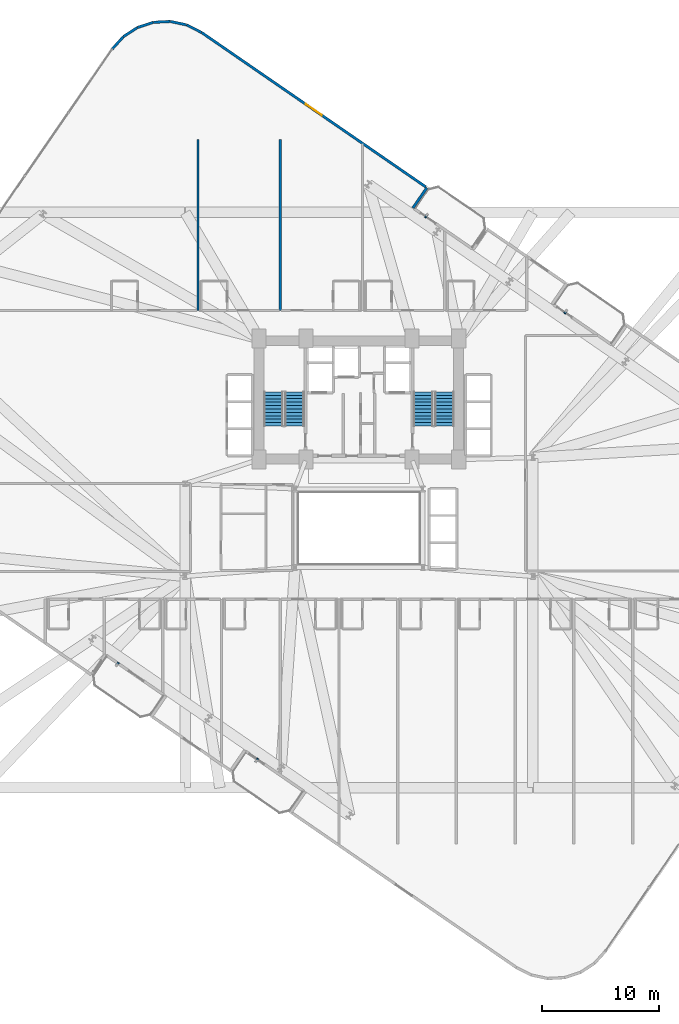
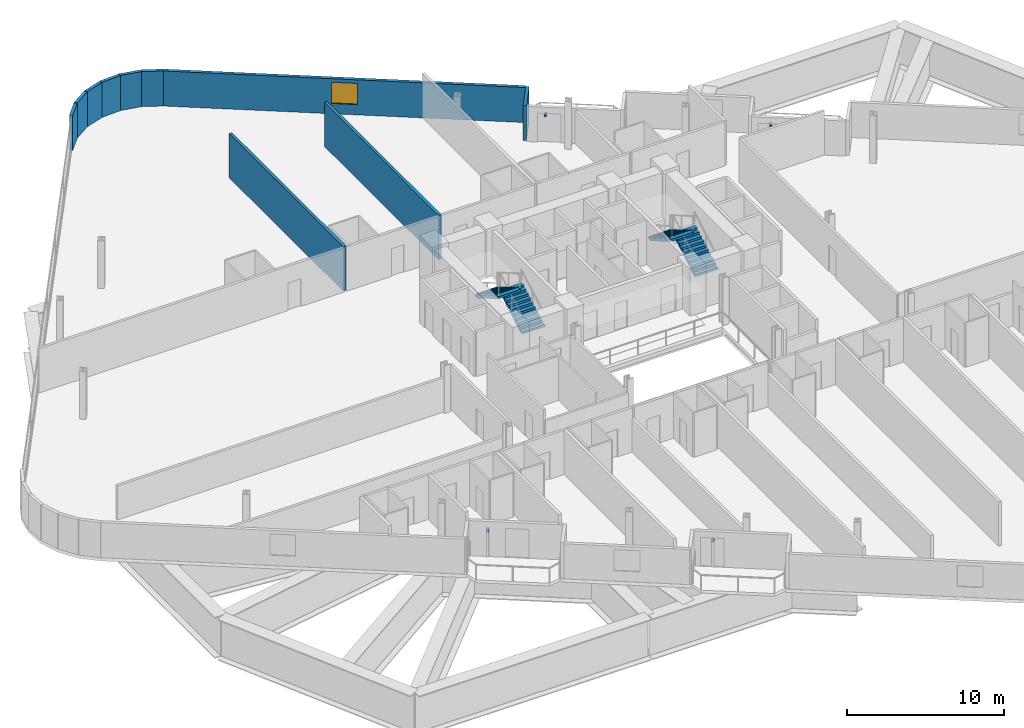
# One storey, part 23 of 26: 10 walls, 4 discrete accessories, 4 stair flights, 1 window, 1 opening, 2 elements without a shape of their own.
"""IFC4 building model written with IfcOpenShell, lengths in metres."""

from ifc_helpers import new_model, si_unit, direction, frame, frame_2d, origin, origin_2d, place, context, subcontext, project, spatial, polyline, rectangle, outline, extrude, source, transform, mapped, material, layer, layer_set, type_object, element, fill, aggregate, save


model = new_model("IFC4")

# Units and contexts
model_context = context("Model", 3, precision=1e-05, world=origin(), true_north=direction((0.0, 1.0)))
body_context = subcontext(model_context, "Body", "Model", "MODEL_VIEW")
ifc_project = project(units=[si_unit("LENGTHUNIT", "METRE"), si_unit("AREAUNIT", "SQUARE_METRE"), si_unit("VOLUMEUNIT", "CUBIC_METRE"), si_unit("PLANEANGLEUNIT", "RADIAN"), si_unit("MASSUNIT", "GRAM", prefix="KILO")], contexts=[model_context])

# Site, building, storey
site_placement = place(None, origin())
site = spatial("IfcSite", under=ifc_project, at=site_placement, CompositionType="ELEMENT")
building_placement = place(site_placement, origin())
building = spatial("IfcBuilding", under=site, at=building_placement, Name="Varnelok Gate Tower", CompositionType="ELEMENT")
storey_placement = place(building_placement, frame((0.0, 0.0, 27.0)))
storey = spatial("IfcBuildingStorey", under=building, at=storey_placement, Name="L05", CompositionType="ELEMENT", Elevation=27.0)

# Wall
ifc_material_1 = material(Name="Concrete C45/55", Category="concrete")
ifc_layer_1 = layer(ifc_material_1, 0.219970703125)
ifc_layer_set_1 = layer_set([ifc_layer_1], Name="Concrete C45/55")
wall_type_1 = type_object("IfcWallType", Name="EW-BALC-220", PredefinedType="SOLIDWALL", material=ifc_layer_set_1)
wall_1_placement = place(storey_placement, frame((43.793701171875, 50.161376953125, 0.0), z_axis=(0.0, 0.0, 1.0), x_axis=(0.567352541689, 0.823475010816, 0.0)))
element("IfcWall", 1, at=wall_1_placement, inside=storey, type_object=wall_type_1, Name="L05 Perimeter Facade Closure Wall 31", PredefinedType="SOLIDWALL", context=body_context, shape_type="SweptSolid", body=[
    extrude(rectangle(XDim=2.099853515625, YDim=0.219970703125, at=frame_2d((1.0498046875, 0.0))), origin(), (0.0, 0.0, 1.0), 2.72998046875),
])

# Wall, opening, window
wall_2_placement = place(storey_placement, frame((44.882080078125, 51.961669921875, 0.0), z_axis=(0.0, 0.0, 1.0), x_axis=(-0.823534427573, 0.567266292497, 0.0)))
wall_2 = element("IfcWall", 2, at=wall_2_placement, inside=storey, type_object=wall_type_1, Name="L05 Perimeter Facade Closure Wall 32", PredefinedType="SOLIDWALL", context=body_context, shape_type="SweptSolid", body=[
    extrude(rectangle(XDim=23.147216796875, YDim=0.219970703125, at=frame_2d((11.57373046875, 0.0))), origin(), (0.0, 0.0, 1.0), 2.72998046875),
])
opening_placement = place(wall_2_placement, frame((10.74853515625, 0.0, 0.800048828125)))
opening = element("IfcOpeningElement", 3, at=opening_placement, cuts=wall_2, Name="Opening WN3", PredefinedType="OPENING", context=body_context, shape_type="SweptSolid", body=[
    extrude(rectangle(XDim=1.64990234375, YDim=1.64990234375, at=frame_2d((0.824951171875, 0.824951171875))), frame((0.0, 0.119873046875, 0.0), z_axis=(0.0, -1.0, 0.0), x_axis=(1.0, 0.0, 0.0)), (0.0, 0.0, 1.0), 0.239990234375),
])
ifc_material_2 = material(Name="Low-E Laminated Double Glazing IGU", Category="glass")
window_type = type_object("IfcWindowType", Name="WN-HTL-1650", PartitioningType="SINGLE_PANEL", PredefinedType="WINDOW", material=ifc_material_2)
window_placement = place(opening_placement, origin())
window = element("IfcWindow", 4, at=window_placement, inside=storey, type_object=window_type, Name="L05 Perimeter Vision Window 32", OverallHeight=1.64990234375, OverallWidth=1.64990234375, PartitioningType="SINGLE_PANEL", PredefinedType="WINDOW", context=body_context, shape_type="SweptSolid", body=[
    extrude(rectangle(XDim=1.64990234375, YDim=1.64990234375, at=frame_2d((0.824951171875, 0.824951171875))), frame((0.0, 0.030029296875, 0.0), z_axis=(0.0, -1.0, 0.0), x_axis=(1.0, 0.0, 0.0)), (0.0, 0.0, 1.0), 0.06005859375),
])
fill(opening, window)

# Walls
wall_3_placement = place(storey_placement, frame((25.79736328125, 65.103759765625, 0.0), z_axis=(0.0, 0.0, 1.0), x_axis=(-0.890559109247, 0.454867533394, 0.0)))
element("IfcWall", 5, at=wall_3_placement, inside=storey, type_object=wall_type_1, Name="L05 Perimeter Facade Closure Wall 33", PredefinedType="SOLIDWALL", context=body_context, shape_type="SweptSolid", body=[
    extrude(rectangle(XDim=1.4130859375, YDim=0.219970703125, at=frame_2d((0.70654296875, 0.0))), origin(), (0.0, 0.0, 1.0), 2.72998046875),
])
for number, where, z_axis, x_axis, name in (
    (6, (24.514404296875, 65.751953125, 0.0), (0.0, 0.0, 1.0), (-0.977952168511, 0.208829011645, 0.0), "L05 Perimeter Facade Closure Wall 34"),
    (7, (23.114990234375, 66.044189453125, 0.0), (0.0, 0.0, 1.0), (-0.998685611917, -0.051254741739, 0.0), "L05 Perimeter Facade Closure Wall 35"),
    (8, (21.68798828125, 65.96435546875, 0.0), (0.0, 0.0, 1.0), (-0.951375653596, -0.308033059501, 0.0), "L05 Perimeter Facade Closure Wall 36"),
    (9, (20.330078125, 65.517822265625, 0.0), (0.0, 0.0, 1.0), (-0.839327688057, -0.543625819899, 0.0), "L05 Perimeter Facade Closure Wall 37"),
    (10, (19.1337890625, 64.735107421875, 0.0), (0.0, 0.0, 1.0), (-0.669952842826, -0.742403655964, 0.0), "L05 Perimeter Facade Closure Wall 38"),
):
    element("IfcWall", number, at=place(storey_placement, frame(where, z_axis=z_axis, x_axis=x_axis)), inside=storey, type_object=wall_type_1, Name=name, PredefinedType="SOLIDWALL", context=body_context, shape_type="SweptSolid", body=[
        extrude(rectangle(XDim=1.4052734375, YDim=0.219970703125, at=frame_2d((0.70263671875, 0.0))), origin(), (0.0, 0.0, 1.0), 2.72998046875),
    ])
ifc_material_3 = material(Name="Gypsum Plasterboard Acoustic Partition", Category="gypsum")
ifc_layer_2 = layer(ifc_material_3, 0.205078125)
ifc_layer_set_2 = layer_set([ifc_layer_2], Name="Gypsum Plasterboard Acoustic Partition")
wall_type_2 = type_object("IfcWallType", Name="PW-PARTY-200", PredefinedType="PARTITIONING", material=ifc_layer_set_2)
for number, where, z_axis, x_axis, name in (
    (11, (25.5, 41.429931640625, 0.0), (0.0, 0.0, 1.0), (0.0, 1.0, 0.0), "L05 North Party Wall 1"),
    (12, (32.5, 41.429931640625, 0.0), (0.0, 0.0, 1.0), (0.0, 1.0, 0.0), "L05 North Party Wall 2"),
):
    element("IfcWall", number, at=place(storey_placement, frame(where, z_axis=z_axis, x_axis=x_axis)), inside=storey, type_object=wall_type_2, Name=name, PredefinedType="PARTITIONING", context=body_context, shape_type="SweptSolid", body=[
        extrude(rectangle(XDim=14.570068359375, YDim=0.205078125, at=frame_2d((7.28515625, 0.0))), origin(), (0.0, 0.0, 1.0), 3.449951171875),
    ])

# Stair, stair flights
ifc_material_4 = material(Name="Concrete C50/60", Category="concrete")
stair_type = type_object("IfcStairType", Name="STR-CORE-1650", PredefinedType="HALF_TURN_STAIR", material=ifc_material_4)
stair_1_placement = place(storey_placement, origin())
stair_1 = element("IfcStair", 13, at=stair_1_placement, inside=storey, type_object=stair_type, Name="L05 Exit Stair ST-1", PredefinedType="HALF_TURN_STAIR")
stair_flight_type = type_object("IfcStairFlightType", Name="SFL-CORE-1650", PredefinedType="STRAIGHT", material=ifc_material_4)
stair_flight_1_placement = place(storey_placement, frame((33.72509765625, 31.60009765625, 0.0), z_axis=(0.0, 0.0, 1.0), x_axis=(0.0, 1.0, 0.0)))
stair_flight_1 = element("IfcStairFlight", 14, at=stair_flight_1_placement, type_object=stair_flight_type, Name="ST-1 flight 1", NumberOfRisers=11, NumberOfTreads=10, PredefinedType="STRAIGHT", RiserHeight=0.168181818, TreadLength=0.29, context=body_context, shape_type="SweptSolid", body=[
    extrude(outline(polyline([(0.0, 0.0), (0.0, 0.168212890625), (0.2900390625, 0.168212890625), (0.2900390625, 0.33642578125), (0.580078125, 0.33642578125), (0.580078125, 0.504638671875), (0.8701171875, 0.504638671875), (0.8701171875, 0.672607421875), (1.159912109375, 0.672607421875), (1.159912109375, 0.8408203125), (1.449951171875, 0.8408203125), (1.449951171875, 1.009033203125), (1.739990234375, 1.009033203125), (1.739990234375, 1.17724609375), (2.030029296875, 1.17724609375), (2.030029296875, 1.345458984375), (2.320068359375, 1.345458984375), (2.320068359375, 1.513671875), (2.610107421875, 1.513671875), (2.610107421875, 1.681884765625), (2.89990234375, 1.681884765625), (2.89990234375, 1.85009765625), (2.89990234375, 1.508544921875), (0.298828125, 0.0), (0.0, 0.0)])), frame((0.0, 0.824951171875, 0.0), z_axis=(0.0, -1.0, 0.0), x_axis=(1.0, 0.0, 0.0)), (0.0, 0.0, 1.0), 1.64990234375),
])
stair_flight_2_placement = place(storey_placement, frame((31.925048828125, 34.5, 1.85009765625), z_axis=(0.0, 0.0, 1.0), x_axis=(0.0, -1.0, 0.0)))
stair_flight_2 = element("IfcStairFlight", 15, at=stair_flight_2_placement, type_object=stair_flight_type, Name="ST-1 flight 2", NumberOfRisers=11, NumberOfTreads=10, PredefinedType="STRAIGHT", RiserHeight=0.168181818, TreadLength=0.29, context=body_context, shape_type="SweptSolid", body=[
    extrude(outline(polyline([(0.0, 0.0), (0.0, 0.168212890625), (0.2900390625, 0.168212890625), (0.2900390625, 0.33642578125), (0.580078125, 0.33642578125), (0.580078125, 0.504638671875), (0.8701171875, 0.504638671875), (0.8701171875, 0.672607421875), (1.159912109375, 0.672607421875), (1.159912109375, 0.8408203125), (1.449951171875, 0.8408203125), (1.449951171875, 1.009033203125), (1.739990234375, 1.009033203125), (1.739990234375, 1.17724609375), (2.030029296875, 1.17724609375), (2.030029296875, 1.345458984375), (2.320068359375, 1.345458984375), (2.320068359375, 1.513671875), (2.610107421875, 1.513671875), (2.610107421875, 1.681884765625), (2.89990234375, 1.681884765625), (2.89990234375, 1.85009765625), (2.89990234375, 1.508544921875), (0.298828125, 0.0), (0.0, 0.0)])), frame((0.0, 0.824951171875, 0.0), z_axis=(0.0, -1.0, 0.0), x_axis=(1.0, 0.0, 0.0)), (0.0, 0.0, 1.0), 1.64990234375),
])
aggregate(stair_1, [stair_flight_1, stair_flight_2])

stair_2_placement = place(storey_placement, origin())
stair_2 = element("IfcStair", 16, at=stair_2_placement, inside=storey, type_object=stair_type, Name="L05 Exit Stair ST-2", PredefinedType="HALF_TURN_STAIR")
stair_flight_3_placement = place(storey_placement, frame((46.47509765625, 31.60009765625, 0.0), z_axis=(0.0, 0.0, 1.0), x_axis=(0.0, 1.0, 0.0)))
stair_flight_3 = element("IfcStairFlight", 17, at=stair_flight_3_placement, type_object=stair_flight_type, Name="ST-2 flight 1", NumberOfRisers=11, NumberOfTreads=10, PredefinedType="STRAIGHT", RiserHeight=0.168181818, TreadLength=0.29, context=body_context, shape_type="SweptSolid", body=[
    extrude(outline(polyline([(0.0, 0.0), (0.0, 0.168212890625), (0.2900390625, 0.168212890625), (0.2900390625, 0.33642578125), (0.580078125, 0.33642578125), (0.580078125, 0.504638671875), (0.8701171875, 0.504638671875), (0.8701171875, 0.672607421875), (1.159912109375, 0.672607421875), (1.159912109375, 0.8408203125), (1.449951171875, 0.8408203125), (1.449951171875, 1.009033203125), (1.739990234375, 1.009033203125), (1.739990234375, 1.17724609375), (2.030029296875, 1.17724609375), (2.030029296875, 1.345458984375), (2.320068359375, 1.345458984375), (2.320068359375, 1.513671875), (2.610107421875, 1.513671875), (2.610107421875, 1.681884765625), (2.89990234375, 1.681884765625), (2.89990234375, 1.85009765625), (2.89990234375, 1.508544921875), (0.298828125, 0.0), (0.0, 0.0)])), frame((0.0, 0.824951171875, 0.0), z_axis=(0.0, -1.0, 0.0), x_axis=(1.0, 0.0, 0.0)), (0.0, 0.0, 1.0), 1.64990234375),
])
stair_flight_4_placement = place(storey_placement, frame((44.675048828125, 34.5, 1.85009765625), z_axis=(0.0, 0.0, 1.0), x_axis=(0.0, -1.0, 0.0)))
stair_flight_4 = element("IfcStairFlight", 18, at=stair_flight_4_placement, type_object=stair_flight_type, Name="ST-2 flight 2", NumberOfRisers=11, NumberOfTreads=10, PredefinedType="STRAIGHT", RiserHeight=0.168181818, TreadLength=0.29, context=body_context, shape_type="SweptSolid", body=[
    extrude(outline(polyline([(0.0, 0.0), (0.0, 0.168212890625), (0.2900390625, 0.168212890625), (0.2900390625, 0.33642578125), (0.580078125, 0.33642578125), (0.580078125, 0.504638671875), (0.8701171875, 0.504638671875), (0.8701171875, 0.672607421875), (1.159912109375, 0.672607421875), (1.159912109375, 0.8408203125), (1.449951171875, 0.8408203125), (1.449951171875, 1.009033203125), (1.739990234375, 1.009033203125), (1.739990234375, 1.17724609375), (2.030029296875, 1.17724609375), (2.030029296875, 1.345458984375), (2.320068359375, 1.345458984375), (2.320068359375, 1.513671875), (2.610107421875, 1.513671875), (2.610107421875, 1.681884765625), (2.89990234375, 1.681884765625), (2.89990234375, 1.85009765625), (2.89990234375, 1.508544921875), (0.298828125, 0.0), (0.0, 0.0)])), frame((0.0, 0.824951171875, 0.0), z_axis=(0.0, -1.0, 0.0), x_axis=(1.0, 0.0, 0.0)), (0.0, 0.0, 1.0), 1.64990234375),
])
aggregate(stair_2, [stair_flight_3, stair_flight_4])

# Discrete accessories
ifc_material_5 = material(Name="Structural Steel ASTM A500 Grade C", Category="steel")
discrete_accessory_type = type_object("IfcDiscreteAccessoryType", Name="ACC-BAGUETTE-BRK", PredefinedType="BRACKET", material=ifc_material_5)
shared_shape = source(origin(), body_context, "Body", "SweptSolid", [
    extrude(rectangle(XDim=0.159912109375, YDim=0.340087890625, at=origin_2d()), origin(), (0.0, 0.0, 1.0), 0.139892578125),
])
for number, where, z_axis, x_axis, name in (
    (19, (18.64453125, 11.32421875, 1.97998046875), (0.0, 0.0, 1.0), (0.823532597628, -0.567268949127, 0.0), "L05 Terracotta Baguette Bracket 1.1"),
    (20, (30.50341796875, 3.155517578125, 1.97998046875), (0.0, 0.0, 1.0), (0.823532597628, -0.567268949127, 0.0), "L05 Terracotta Baguette Bracket 2.1"),
    (21, (44.931884765625, 49.48681640625, 1.97998046875), (0.0, 0.0, 1.0), (0.823532597628, -0.567268949127, 0.0), "L05 Terracotta Baguette Bracket 3.1"),
    (22, (56.790771484375, 41.318115234375, 1.97998046875), (0.0, 0.0, 1.0), (0.823532597628, -0.567268949127, 0.0), "L05 Terracotta Baguette Bracket 4.1"),
):
    element("IfcDiscreteAccessory", number, at=place(storey_placement, frame(where, z_axis=z_axis, x_axis=x_axis)), inside=storey, type_object=discrete_accessory_type, Name=name, PredefinedType="BRACKET", context=body_context, shape_type="MappedRepresentation", body=[
        mapped(shared_shape, transform((0.0, 0.0, 0.0), scale=1.0)),
    ])

save(model, "model.ifc")
